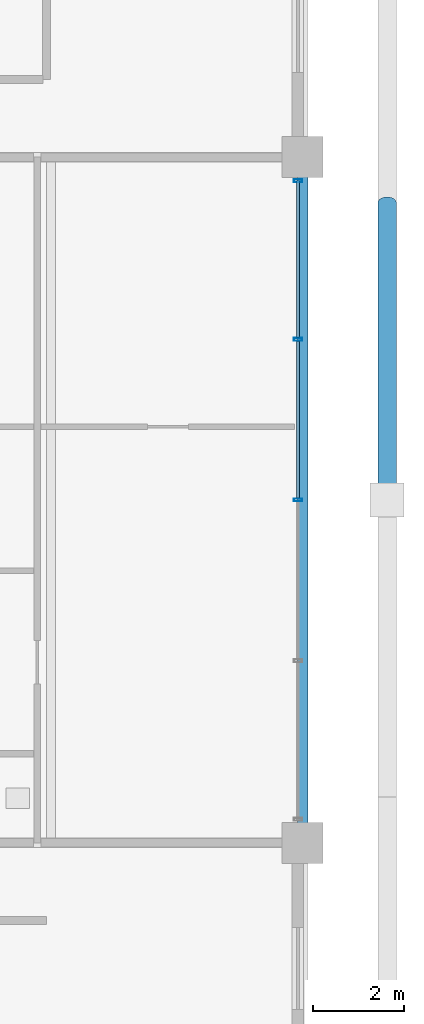
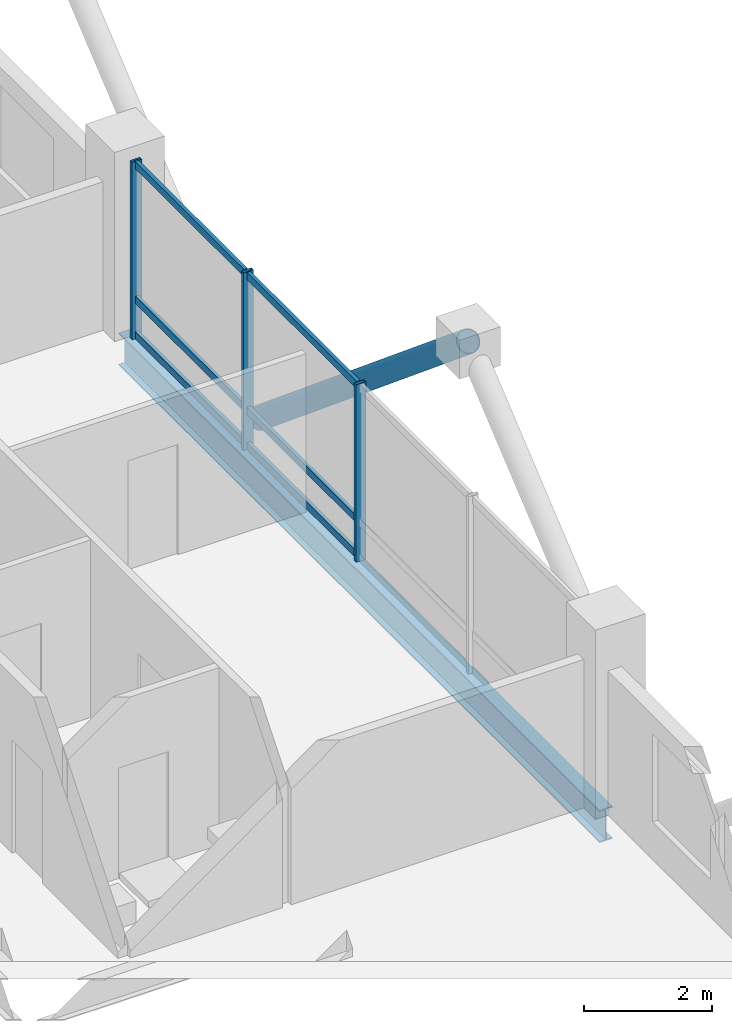
# One storey, part 12 of 23: 10 members, 1 beam, 1 element without a shape of its own.
"""IFC4 building model written with IfcOpenShell, lengths in metres."""

from ifc_helpers import new_model, si_unit, direction, frame, origin, origin_2d, place, context, subcontext, project, spatial, hollow_rectangle, hollow_circle, i_section, extrude, material, layer, layer_set, material_profile, profile_set, type_object, element, aggregate, save


model = new_model("IFC4")

# Units and contexts
model_context = context("Model", 3, precision=1e-05, world=origin(), true_north=direction((0.0, 1.0)))
body_context = subcontext(model_context, "Body", "Model", "MODEL_VIEW")
ifc_project = project(units=[si_unit("LENGTHUNIT", "METRE"), si_unit("AREAUNIT", "SQUARE_METRE"), si_unit("VOLUMEUNIT", "CUBIC_METRE"), si_unit("PLANEANGLEUNIT", "RADIAN"), si_unit("MASSUNIT", "GRAM", prefix="KILO")], contexts=[model_context])

# Site, building, storey
site_placement = place(None, origin())
site = spatial("IfcSite", under=ifc_project, at=site_placement, CompositionType="ELEMENT")
building_placement = place(site_placement, origin())
building = spatial("IfcBuilding", under=site, at=building_placement, Name="Barlavira Tower and Art Museum", CompositionType="ELEMENT")
storey_placement = place(building_placement, frame((0.0, 0.0, 279.89990234375)))
storey = spatial("IfcBuildingStorey", under=building, at=storey_placement, Name="L73", CompositionType="ELEMENT", Elevation=279.89990234375)

# Curtain wall, members
ifc_material_1 = material(Name="Low-iron coastal laminated glass", Category="glass")
ifc_layer = layer(ifc_material_1, 0.2099609375, Name="Low-iron coastal laminated glass")
ifc_layer_set = layer_set([ifc_layer], Name="Low-iron coastal laminated glass")
curtain_wall_type = type_object("IfcCurtainWallType", Name="Pale-Metal Unitised Curtain Wall Zone 4", PredefinedType="NOTDEFINED", material=ifc_layer_set)
curtain_wall_placement = place(storey_placement, origin())
curtain_wall = element("IfcCurtainWall", 1, at=curtain_wall_placement, inside=storey, type_object=curtain_wall_type, Name="L73 Curtain Wall CW4-L73-E-B3", PredefinedType="NOTDEFINED")
ifc_material_2 = material(Name="Pale anodised aluminium", Category="aluminium")
ifc_material_profile_1 = material_profile(ifc_material_2, hollow_rectangle(XDim=0.06494140625, YDim=0.179931640625, WallThickness=0.00390625, at=origin_2d()), Name="ALU-MULL 65x180x4")
ifc_profile_set_1 = profile_set([ifc_material_profile_1], Name="Pale anodised aluminium")
member_type_1 = type_object("IfcMemberType", Name="Curtain Wall Pale-Metal Mullion 65x180", PredefinedType="MULLION", material=ifc_profile_set_1)
member_1_placement = place(storey_placement, frame((16.89990234375, 0.0, 0.0), z_axis=(0.0, 0.0, 1.0), x_axis=(0.0, 1.0, 0.0)))
member_1 = element("IfcMember", 2, at=member_1_placement, type_object=member_type_1, Name="CW4-L73-E-B3 Mullion 2", PredefinedType="MULLION", context=body_context, shape_type="SweptSolid", body=[
    extrude(hollow_rectangle(XDim=0.06494140625, YDim=0.179931640625, WallThickness=0.00390625, at=origin_2d()), origin(), (0.0, 0.0, 1.0), 3.380126953125),
])
member_2_placement = place(storey_placement, frame((16.89990234375, 3.514892578125, 0.0), z_axis=(0.0, 0.0, 1.0), x_axis=(0.0, 1.0, 0.0)))
member_2 = element("IfcMember", 3, at=member_2_placement, type_object=member_type_1, Name="CW4-L73-E-B3 Mullion 3", PredefinedType="MULLION", context=body_context, shape_type="SweptSolid", body=[
    extrude(hollow_rectangle(XDim=0.06494140625, YDim=0.179931640625, WallThickness=0.00390625, at=origin_2d()), origin(), (0.0, 0.0, 1.0), 3.380126953125),
])
member_3_placement = place(storey_placement, frame((16.89990234375, 6.985107421875, 0.0), z_axis=(0.0, 0.0, 1.0), x_axis=(0.0, 1.0, 0.0)))
member_3 = element("IfcMember", 4, at=member_3_placement, type_object=member_type_1, Name="CW4-L73-E-B3 Mullion 4", PredefinedType="MULLION", context=body_context, shape_type="SweptSolid", body=[
    extrude(hollow_rectangle(XDim=0.06494140625, YDim=0.179931640625, WallThickness=0.00390625, at=origin_2d()), origin(), (0.0, 0.0, 1.0), 3.380126953125),
])
ifc_material_profile_2 = material_profile(ifc_material_2, hollow_rectangle(XDim=0.06494140625, YDim=0.139892578125, WallThickness=0.00390625, at=origin_2d()), Name="ALU-TRAN 65x140x4")
ifc_profile_set_2 = profile_set([ifc_material_profile_2], Name="Pale anodised aluminium")
member_type_2 = type_object("IfcMemberType", Name="Curtain Wall Pale-Metal Transom 65x140", PredefinedType="USERDEFINED", material=ifc_profile_set_2)
member_4_placement = place(storey_placement, frame((16.89990234375, 0.044921875, 0.070068359375), z_axis=(0.0, 1.0, 0.0), x_axis=(-1.0, 0.0, 0.0)))
member_4 = element("IfcMember", 5, at=member_4_placement, type_object=member_type_2, Name="CW4-L73-E-B3 Transom 2.1", ObjectType="TRANSOM", PredefinedType="USERDEFINED", context=body_context, shape_type="SweptSolid", body=[
    extrude(hollow_rectangle(XDim=0.06494140625, YDim=0.139892578125, WallThickness=0.00390625, at=origin_2d()), origin(), (0.0, 0.0, 1.0), 3.425048828125),
])
member_5_placement = place(storey_placement, frame((16.89990234375, 0.044921875, 0.744140625), z_axis=(0.0, 1.0, 0.0), x_axis=(-1.0, 0.0, 0.0)))
member_5 = element("IfcMember", 6, at=member_5_placement, type_object=member_type_2, Name="CW4-L73-E-B3 Transom 2.2", ObjectType="TRANSOM", PredefinedType="USERDEFINED", context=body_context, shape_type="SweptSolid", body=[
    extrude(hollow_rectangle(XDim=0.06494140625, YDim=0.139892578125, WallThickness=0.00390625, at=origin_2d()), origin(), (0.0, 0.0, 1.0), 3.425048828125),
])
member_6_placement = place(storey_placement, frame((16.89990234375, 0.044921875, 3.31005859375), z_axis=(0.0, 1.0, 0.0), x_axis=(-1.0, 0.0, 0.0)))
member_6 = element("IfcMember", 7, at=member_6_placement, type_object=member_type_2, Name="CW4-L73-E-B3 Transom 2.3", ObjectType="TRANSOM", PredefinedType="USERDEFINED", context=body_context, shape_type="SweptSolid", body=[
    extrude(hollow_rectangle(XDim=0.06494140625, YDim=0.139892578125, WallThickness=0.00390625, at=origin_2d()), origin(), (0.0, 0.0, 1.0), 3.425048828125),
])
member_7_placement = place(storey_placement, frame((16.89990234375, 3.56005859375, 0.070068359375), z_axis=(0.0, 1.0, 0.0), x_axis=(-1.0, 0.0, 0.0)))
member_7 = element("IfcMember", 8, at=member_7_placement, type_object=member_type_2, Name="CW4-L73-E-B3 Transom 3.1", ObjectType="TRANSOM", PredefinedType="USERDEFINED", context=body_context, shape_type="SweptSolid", body=[
    extrude(hollow_rectangle(XDim=0.06494140625, YDim=0.139892578125, WallThickness=0.00390625, at=origin_2d()), origin(), (0.0, 0.0, 1.0), 3.425048828125),
])
member_8_placement = place(storey_placement, frame((16.89990234375, 3.56005859375, 0.744140625), z_axis=(0.0, 1.0, 0.0), x_axis=(-1.0, 0.0, 0.0)))
member_8 = element("IfcMember", 9, at=member_8_placement, type_object=member_type_2, Name="CW4-L73-E-B3 Transom 3.2", ObjectType="TRANSOM", PredefinedType="USERDEFINED", context=body_context, shape_type="SweptSolid", body=[
    extrude(hollow_rectangle(XDim=0.06494140625, YDim=0.139892578125, WallThickness=0.00390625, at=origin_2d()), origin(), (0.0, 0.0, 1.0), 3.425048828125),
])
member_9_placement = place(storey_placement, frame((16.89990234375, 3.56005859375, 3.31005859375), z_axis=(0.0, 1.0, 0.0), x_axis=(-1.0, 0.0, 0.0)))
member_9 = element("IfcMember", 10, at=member_9_placement, type_object=member_type_2, Name="CW4-L73-E-B3 Transom 3.3", ObjectType="TRANSOM", PredefinedType="USERDEFINED", context=body_context, shape_type="SweptSolid", body=[
    extrude(hollow_rectangle(XDim=0.06494140625, YDim=0.139892578125, WallThickness=0.00390625, at=origin_2d()), origin(), (0.0, 0.0, 1.0), 3.425048828125),
])
aggregate(curtain_wall, [member_1, member_2, member_3, member_4, member_5, member_6, member_7, member_8, member_9])

# Member
ifc_material_3 = material(Name="Steel S355", Category="steel")
ifc_material_profile_3 = material_profile(ifc_material_3, hollow_circle(Radius=0.203125, WallThickness=0.01611328125, at=origin_2d()), Name="CHS 406.4x16.0")
ifc_profile_set_3 = profile_set([ifc_material_profile_3], Name="Steel S355")
member_type_3 = type_object("IfcMemberType", Name="Pale-Metal Exoskeleton Diagrid Tube CHS 406x16 Steel S355", PredefinedType="BRACE", material=ifc_profile_set_3)
member_10_placement = place(storey_placement, frame((18.85009765625, 6.5, -1.919921875), z_axis=(0.0, -0.769196053329, 0.639012857104), x_axis=(1.0, 0.0, 0.0)))
element("IfcMember", 11, at=member_10_placement, inside=storey, type_object=member_type_3, Name="L73 Exoskeleton Diagrid Tube E", PredefinedType="BRACE", context=body_context, shape_type="SweptSolid", body=[
    extrude(hollow_circle(Radius=0.203125, WallThickness=0.01611328125, at=origin_2d()), origin(), (0.0, 0.0, 1.0), 8.450439453125),
])

# Beam
ifc_material_profile_4 = material_profile(ifc_material_3, i_section(OverallWidth=0.22998046875, OverallDepth=0.616943359375, WebThickness=0.01318359375, FlangeThickness=0.022216796875, at=origin_2d()), Name="W610x140.0")
ifc_profile_set_4 = profile_set([ifc_material_profile_4], Name="Steel S355")
beam_type = type_object("IfcBeamType", Name="Upper Shaft Spandrel Edge Beam W610x140 Steel S355", PredefinedType="SPANDREL", material=ifc_profile_set_4)
beam_placement = place(storey_placement, frame((17.0, -7.5, -0.5283203125), z_axis=(0.0, 1.0, 0.0), x_axis=(-1.0, 0.0, 0.0)))
element("IfcBeam", 12, at=beam_placement, inside=storey, type_object=beam_type, Name="L73 Spandrel 6", PredefinedType="SPANDREL", context=body_context, shape_type="SweptSolid", body=[
    extrude(i_section(OverallWidth=0.22998046875, OverallDepth=0.616943359375, WebThickness=0.01318359375, FlangeThickness=0.022216796875, at=origin_2d()), origin(), (0.0, 0.0, 1.0), 15.0),
])

save(model, "model.ifc")
